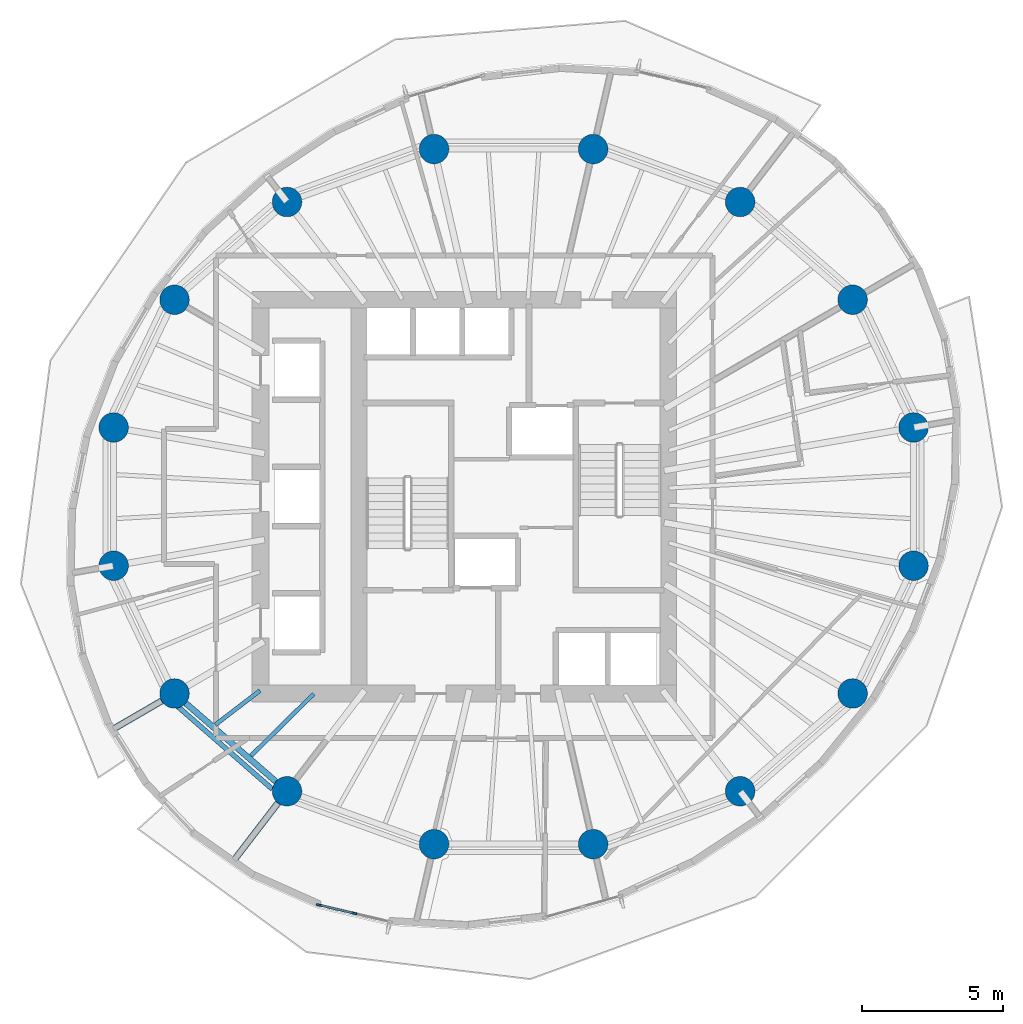
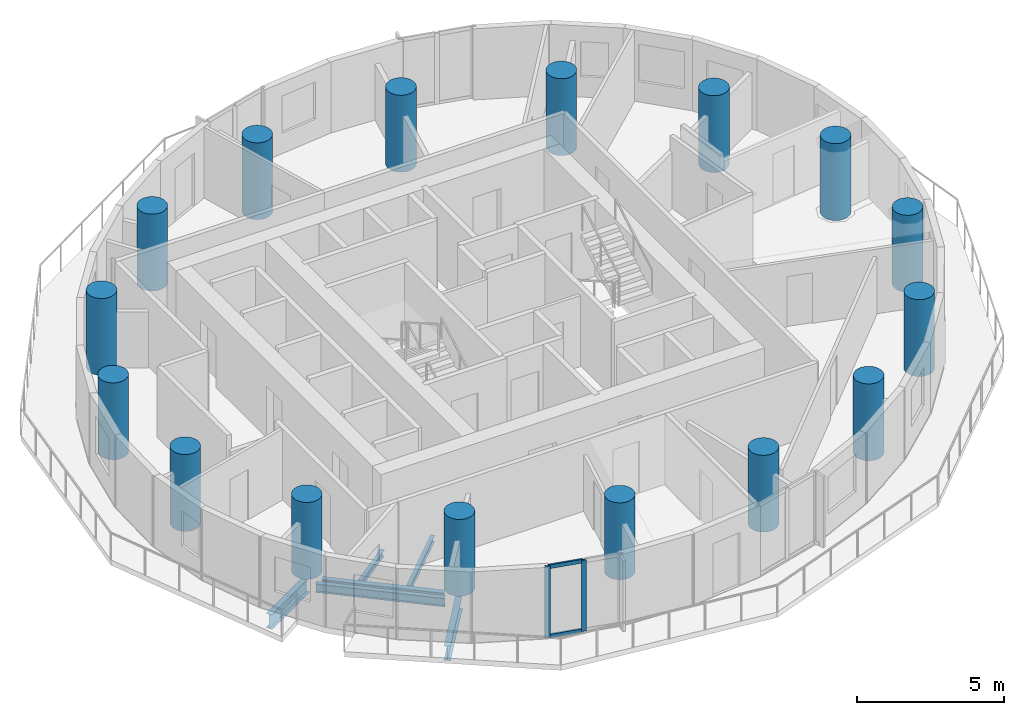
# One storey, part 1 of 13: 16 columns, 6 beams, 4 members, 1 element without a shape of its own.
"""IFC4 building model written with IfcOpenShell, lengths in metres."""

from ifc_helpers import new_model, si_unit, direction, frame, origin, origin_2d, place, context, subcontext, project, spatial, rectangle, circle, i_section, extrude, material, material_profile, profile_set, type_object, element, aggregate, save


model = new_model("IFC4")

# Units and contexts
model_context = context("Model", 3, precision=1e-05, world=origin(), true_north=direction((0.0, 1.0)))
body_context = subcontext(model_context, "Body", "Model", "MODEL_VIEW")
ifc_project = project(units=[si_unit("LENGTHUNIT", "METRE"), si_unit("AREAUNIT", "SQUARE_METRE"), si_unit("VOLUMEUNIT", "CUBIC_METRE"), si_unit("PLANEANGLEUNIT", "RADIAN"), si_unit("MASSUNIT", "GRAM", prefix="KILO")], contexts=[model_context])

# Site, building, storey
site_placement = place(None, origin())
site = spatial("IfcSite", under=ifc_project, at=site_placement, CompositionType="ELEMENT")
building_placement = place(site_placement, origin())
building = spatial("IfcBuilding", under=site, at=building_placement, Name="Veldorim Arch Residences", CompositionType="ELEMENT")
storey_placement = place(building_placement, frame((0.0, 0.0, 152.159912109375)))
storey = spatial("IfcBuildingStorey", under=building, at=storey_placement, Name="L45", CompositionType="ELEMENT", Elevation=152.159912109375)

# Columns
ifc_material_1 = material(Name="Concrete C50/60", Category="concrete")
ifc_material_profile_1 = material_profile(ifc_material_1, circle(Radius=0.52490234375, at=origin_2d()), Name="RC_CIRC_1050")
ifc_profile_set_1 = profile_set([ifc_material_profile_1], Name="Concrete C50/60")
column_type = type_object("IfcColumnType", Name="Structural Column RC_CIRC_1050", PredefinedType="COLUMN", material=ifc_profile_set_1)
for number, where, z_axis, x_axis, name in (
    (1, (46.221435546875, 26.4580078125, 0.0), (0.0, 0.0, 1.0), (1.0, 0.0, 0.0), "L45 TC-Z3-01 perimeter column"),
    (2, (44.056396484375, 31.000244140625, 0.0), (0.0, 0.0, 1.0), (1.0, 0.0, 0.0), "L45 TC-Z3-02 perimeter column"),
    (3, (40.055908203125, 34.4765625, 0.0), (0.0, 0.0, 1.0), (1.0, 0.0, 0.0), "L45 TC-Z3-03 perimeter column"),
    (4, (34.828857421875, 36.35791015625, 0.0), (0.0, 0.0, 1.0), (1.0, 0.0, 0.0), "L45 TC-Z3-04 perimeter column"),
    (5, (29.171142578125, 36.35791015625, 0.0), (0.0, 0.0, 1.0), (1.0, 0.0, 0.0), "L45 TC-Z3-05 perimeter column"),
    (6, (23.944091796875, 34.4765625, 0.0), (0.0, 0.0, 1.0), (1.0, 0.0, 0.0), "L45 TC-Z3-06 perimeter column"),
    (7, (19.943603515625, 31.000244140625, 0.0), (0.0, 0.0, 1.0), (1.0, 0.0, 0.0), "L45 TC-Z3-07 perimeter column"),
    (8, (17.778564453125, 26.4580078125, 0.0), (0.0, 0.0, 1.0), (1.0, 0.0, 0.0), "L45 TC-Z3-08 perimeter column"),
    (9, (17.778564453125, 21.5419921875, 0.0), (0.0, 0.0, 1.0), (1.0, 0.0, 0.0), "L45 TC-Z3-09 perimeter column"),
    (10, (19.943603515625, 16.999755859375, 0.0), (0.0, 0.0, 1.0), (1.0, 0.0, 0.0), "L45 TC-Z3-10 perimeter column"),
    (11, (23.944091796875, 13.5234375, 0.0), (0.0, 0.0, 1.0), (1.0, 0.0, 0.0), "L45 TC-Z3-11 perimeter column"),
    (12, (29.171142578125, 11.64208984375, 0.0), (0.0, 0.0, 1.0), (1.0, 0.0, 0.0), "L45 TC-Z3-12 perimeter column"),
    (13, (34.828857421875, 11.64208984375, 0.0), (0.0, 0.0, 1.0), (1.0, 0.0, 0.0), "L45 TC-Z3-13 perimeter column"),
    (14, (40.055908203125, 13.5234375, 0.0), (0.0, 0.0, 1.0), (1.0, 0.0, 0.0), "L45 TC-Z3-14 perimeter column"),
    (15, (44.056396484375, 16.999755859375, 0.0), (0.0, 0.0, 1.0), (1.0, 0.0, 0.0), "L45 TC-Z3-15 perimeter column"),
    (16, (46.221435546875, 21.5419921875, 0.0), (0.0, 0.0, 1.0), (1.0, 0.0, 0.0), "L45 TC-Z3-16 perimeter column"),
):
    element("IfcColumn", number, at=place(storey_placement, frame(where, z_axis=z_axis, x_axis=x_axis)), inside=storey, type_object=column_type, Name=name, PredefinedType="COLUMN", context=body_context, shape_type="SweptSolid", body=[
        extrude(circle(Radius=0.52490234375, at=origin_2d()), origin(), (0.0, 0.0, 1.0), 3.2001953125),
    ])

# Beams
ifc_material_2 = material(Name="Steel S355", Category="steel")
ifc_material_profile_2 = material_profile(ifc_material_2, i_section(OverallWidth=0.2099609375, OverallDepth=0.53662109375, WebThickness=0.0107421875, FlangeThickness=0.017333984375, at=origin_2d()), Name="UB533x210x101")
ifc_profile_set_2 = profile_set([ifc_material_profile_2], Name="Steel S355")
beam_type_1 = type_object("IfcBeamType", Name="Structural Steel Beam UB533x210x101", PredefinedType="BEAM", material=ifc_profile_set_2)
beam_1_placement = place(storey_placement, frame((20.340087890625, 16.655517578125, -0.50830078125), z_axis=(0.754810789581, -0.655942582802, 0.0), x_axis=(0.655942582802, 0.754810789581, 0.0)))
element("IfcBeam", 17, at=beam_1_placement, inside=storey, type_object=beam_type_1, Name="L45 perimeter ring tie beam 10", PredefinedType="BEAM", context=body_context, shape_type="SweptSolid", body=[
    extrude(i_section(OverallWidth=0.2099609375, OverallDepth=0.53662109375, WebThickness=0.0107421875, FlangeThickness=0.017333984375, at=origin_2d()), origin(), (0.0, 0.0, 1.0), 4.249755859375),
])
ifc_material_3 = material(Name="Steel S355", Category="steel")
ifc_material_profile_3 = material_profile(ifc_material_3, i_section(OverallWidth=0.22900390625, OverallDepth=0.6123046875, WebThickness=0.011962890625, FlangeThickness=0.01953125, at=origin_2d()), Name="UB610x229x125")
ifc_profile_set_3 = profile_set([ifc_material_profile_3], Name="Steel S355")
beam_type_2 = type_object("IfcBeamType", Name="Structural Steel Beam UB610x229x125", PredefinedType="BEAM", material=ifc_profile_set_3)
beam_2_placement = place(storey_placement, frame((19.926513671875, 16.98974609375, -0.5458984375), z_axis=(-0.86478894661, -0.502135517387, 0.0), x_axis=(0.502135517387, -0.86478894661, 0.0)))
element("IfcBeam", 18, at=beam_2_placement, inside=storey, type_object=beam_type_2, Name="L45 radial edge cantilever girder 10", PredefinedType="BEAM", context=body_context, shape_type="SweptSolid", body=[
    extrude(i_section(OverallWidth=0.22900390625, OverallDepth=0.6123046875, WebThickness=0.011962890625, FlangeThickness=0.01953125, at=origin_2d()), origin(), (0.0, 0.0, 1.0), 2.564208984375),
])
beam_3_placement = place(storey_placement, frame((23.931884765625, 13.507568359375, -0.5458984375), z_axis=(-0.609575446364, -0.792728058789, 0.0), x_axis=(0.792728058789, -0.609575446364, 0.0)))
element("IfcBeam", 19, at=beam_3_placement, inside=storey, type_object=beam_type_2, Name="L45 radial edge cantilever girder 11", PredefinedType="BEAM", context=body_context, shape_type="SweptSolid", body=[
    extrude(i_section(OverallWidth=0.22900390625, OverallDepth=0.6123046875, WebThickness=0.011962890625, FlangeThickness=0.01953125, at=origin_2d()), origin(), (0.0, 0.0, 1.0), 3.13916015625),
])
ifc_material_4 = material(Name="Steel S355", Category="steel")
ifc_material_profile_4 = material_profile(ifc_material_4, i_section(OverallWidth=0.146484375, OverallDepth=0.256103515625, WebThickness=0.00634765625, FlangeThickness=0.010986328125, at=origin_2d()), Name="UB254x146x37")
ifc_profile_set_4 = profile_set([ifc_material_profile_4], Name="Steel S355")
beam_type_3 = type_object("IfcBeamType", Name="Structural Steel Joist UB254x146x37", PredefinedType="JOIST", material=ifc_profile_set_4)
beam_4_placement = place(storey_placement, frame((22.984130859375, 17.10302734375, -0.367919921875), z_axis=(-0.794312925337, -0.607508828448, 0.0), x_axis=(0.607508828448, -0.794312925337, 0.0)))
element("IfcBeam", 20, at=beam_4_placement, inside=storey, type_object=beam_type_3, Name="L45 secondary radial floor joist 10-1", PredefinedType="JOIST", context=body_context, shape_type="SweptSolid", body=[
    extrude(i_section(OverallWidth=0.146484375, OverallDepth=0.256103515625, WebThickness=0.00634765625, FlangeThickness=0.010986328125, at=origin_2d()), origin(), (0.0, 0.0, 1.0), 2.006103515625),
])
beam_5_placement = place(storey_placement, frame((24.894287109375, 16.986083984375, -0.367919921875), z_axis=(-0.711683379532, -0.702500368183, 0.0), x_axis=(0.702500368183, -0.711683379532, 0.0)))
element("IfcBeam", 21, at=beam_5_placement, inside=storey, type_object=beam_type_3, Name="L45 secondary radial floor joist 10-2", PredefinedType="JOIST", context=body_context, shape_type="SweptSolid", body=[
    extrude(i_section(OverallWidth=0.146484375, OverallDepth=0.256103515625, WebThickness=0.00634765625, FlangeThickness=0.010986328125, at=origin_2d()), origin(), (0.0, 0.0, 1.0), 3.13720703125),
])
ifc_material_5 = material(Name="Steel S355", Category="steel")
ifc_material_profile_5 = material_profile(ifc_material_5, i_section(OverallWidth=0.172119140625, OverallDepth=0.35791015625, WebThickness=0.008056640625, FlangeThickness=0.012939453125, at=origin_2d()), Name="UB356x171x57")
ifc_profile_set_5 = profile_set([ifc_material_profile_5], Name="Steel S355")
beam_type_4 = type_object("IfcBeamType", Name="Structural Steel Spandrel UB356x171x57", PredefinedType="SPANDREL", material=ifc_profile_set_5)
beam_6_placement = place(storey_placement, frame((20.0419921875, 16.55078125, -0.43896484375), z_axis=(0.753014748982, -0.658003638148, 0.0), x_axis=(0.658003638148, 0.753014748982, 0.0)))
element("IfcBeam", 22, at=beam_6_placement, inside=storey, type_object=beam_type_4, Name="L45 perimeter chord spandrel beam 10", PredefinedType="SPANDREL", context=body_context, shape_type="SweptSolid", body=[
    extrude(i_section(OverallWidth=0.172119140625, OverallDepth=0.35791015625, WebThickness=0.008056640625, FlangeThickness=0.012939453125, at=origin_2d()), origin(), (0.0, 0.0, 1.0), 4.486572265625),
])

# Curtain wall, members
ifc_material_6 = material(Name="Aluminium", Category="aluminium")
curtain_wall_type = type_object("IfcCurtainWallType", Name="Zone 3 High-Wind Unitised Curtain Wall", PredefinedType="NOTDEFINED", material=ifc_material_6)
curtain_wall_placement = place(storey_placement, origin())
curtain_wall = element("IfcCurtainWall", 23, at=curtain_wall_placement, inside=storey, type_object=curtain_wall_type, Name="L45 unitised curtain wall bay 22", PredefinedType="NOTDEFINED")
ifc_material_7 = material(Name="Aluminium", Category="aluminium")
ifc_material_profile_6 = material_profile(ifc_material_7, rectangle(XDim=0.070068359375, YDim=0.179931640625, at=origin_2d()), Name="ALU_MUL_70x180")
ifc_profile_set_6 = profile_set([ifc_material_profile_6], Name="Aluminium")
member_type_1 = type_object("IfcMemberType", Name="Zone 3 High-Wind Unitised Curtain Wall Mullion 70x180", PredefinedType="MULLION", material=ifc_profile_set_6)
member_1_placement = place(storey_placement, frame((26.337890625, 9.179443359375, 0.0), z_axis=(0.0, 0.0, 1.0), x_axis=(-0.230956858022, -0.972963992002, 0.0)))
member_1 = element("IfcMember", 24, at=member_1_placement, type_object=member_type_1, Name="CW-Z3 mullion 2", PredefinedType="MULLION", context=body_context, shape_type="SweptSolid", body=[
    extrude(rectangle(XDim=0.070068359375, YDim=0.179931640625, at=origin_2d()), origin(), (0.0, 0.0, 1.0), 2.960205078125),
])
member_2_placement = place(storey_placement, frame((25.076904296875, 9.478759765625, 0.0), z_axis=(0.0, 0.0, 1.0), x_axis=(-0.230956858022, -0.972963992002, 0.0)))
member_2 = element("IfcMember", 25, at=member_2_placement, type_object=member_type_1, Name="CW-Z3 mullion 3", PredefinedType="MULLION", context=body_context, shape_type="SweptSolid", body=[
    extrude(rectangle(XDim=0.070068359375, YDim=0.179931640625, at=origin_2d()), origin(), (0.0, 0.0, 1.0), 2.960205078125),
])
ifc_material_8 = material(Name="Aluminium", Category="aluminium")
ifc_material_profile_7 = material_profile(ifc_material_8, rectangle(XDim=0.070068359375, YDim=0.155029296875, at=origin_2d()), Name="ALU_TRN_70x155")
ifc_profile_set_7 = profile_set([ifc_material_profile_7], Name="Aluminium")
member_type_2 = type_object("IfcMemberType", Name="Zone 3 High-Wind Unitised Curtain Wall Transom 70x155", PredefinedType="USERDEFINED", material=ifc_profile_set_7)
member_3_placement = place(storey_placement, frame((26.3037109375, 9.1875, 0.03515625), z_axis=(-0.972955574019, 0.230992318023, 0.0), x_axis=(-0.230992318023, -0.972955574019, 0.0)))
member_3 = element("IfcMember", 26, at=member_3_placement, type_object=member_type_2, Name="CW-Z3 transom 2.1", ObjectType="TRANSOM", PredefinedType="USERDEFINED", context=body_context, shape_type="SweptSolid", body=[
    extrude(rectangle(XDim=0.070068359375, YDim=0.155029296875, at=origin_2d()), origin(), (0.0, 0.0, 1.0), 1.22607421875),
])
member_4_placement = place(storey_placement, frame((26.3037109375, 9.1875, 2.925048828125), z_axis=(-0.972955574019, 0.230992318023, 0.0), x_axis=(-0.230992318023, -0.972955574019, 0.0)))
member_4 = element("IfcMember", 27, at=member_4_placement, type_object=member_type_2, Name="CW-Z3 transom 2.2", ObjectType="TRANSOM", PredefinedType="USERDEFINED", context=body_context, shape_type="SweptSolid", body=[
    extrude(rectangle(XDim=0.070068359375, YDim=0.155029296875, at=origin_2d()), origin(), (0.0, 0.0, 1.0), 1.22607421875),
])
aggregate(curtain_wall, [member_1, member_2, member_3, member_4])

save(model, "model.ifc")
